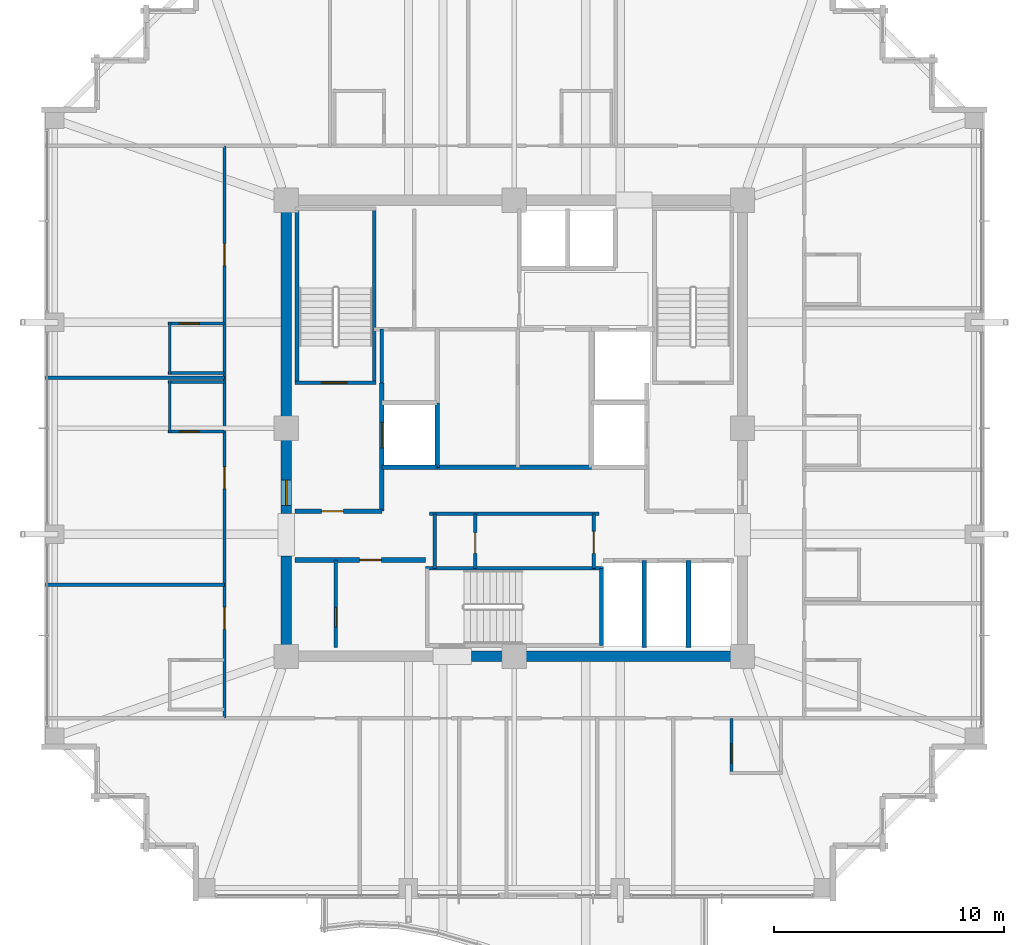
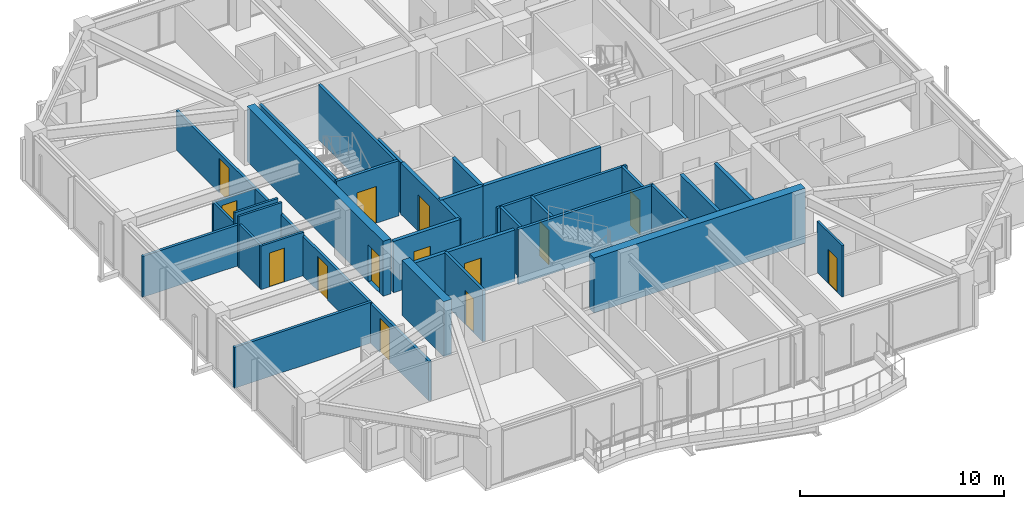
# One storey, part 32 of 38: 32 walls, 14 doors, 14 openings.
"""IFC4 building model written with IfcOpenShell, lengths in metres."""

from ifc_helpers import new_model, si_unit, direction, frame, frame_2d, origin, place, context, subcontext, project, spatial, rectangle, extrude, material, layer, layer_set, type_object, element, fill, save


model = new_model("IFC4")

# Units and contexts
model_context = context("Model", 3, precision=1e-05, world=origin(), true_north=direction((0.0, 1.0)))
body_context = subcontext(model_context, "Body", "Model", "MODEL_VIEW")
ifc_project = project(units=[si_unit("LENGTHUNIT", "METRE"), si_unit("AREAUNIT", "SQUARE_METRE"), si_unit("VOLUMEUNIT", "CUBIC_METRE"), si_unit("PLANEANGLEUNIT", "RADIAN"), si_unit("MASSUNIT", "GRAM", prefix="KILO")], contexts=[model_context])

# Site, building, storey
site_placement = place(None, origin())
site = spatial("IfcSite", under=ifc_project, at=site_placement, CompositionType="ELEMENT")
building_placement = place(site_placement, origin())
building = spatial("IfcBuilding", under=site, at=building_placement, Name="Kolvaren Belvedere", CompositionType="ELEMENT")
storey_placement = place(building_placement, frame((0.0, 0.0, 213.0)))
storey = spatial("IfcBuildingStorey", under=building, at=storey_placement, Name="L62", CompositionType="ELEMENT", Elevation=213.0)

# Walls
ifc_material_1 = material(Name="Concrete C50/60", Category="concrete")
ifc_layer_1 = layer(ifc_material_1, 0.449951171875)
ifc_layer_set_1 = layer_set([ifc_layer_1], Name="Concrete C50/60")
wall_type_1 = type_object("IfcWallType", Name="CW-CORE-450", PredefinedType="SHEAR", material=ifc_layer_set_1)
wall_1_placement = place(storey_placement, frame((10.125, -9.89990234375, 0.0), z_axis=(0.0, 0.0, 1.0), x_axis=(-1.0, 0.0, 0.0)))
element("IfcWall", 1, at=wall_1_placement, inside=storey, type_object=wall_type_1, Name="L62 South Core Shear Wall 1", PredefinedType="SHEAR", context=body_context, shape_type="SweptSolid", body=[
    extrude(rectangle(XDim=11.985107421875, YDim=0.449951171875, at=frame_2d((5.99267578125, 0.0))), origin(), (0.0, 0.0, 1.0), 3.300048828125),
])
wall_2_placement = place(storey_placement, frame((-9.89990234375, -9.675048828125, 0.0), z_axis=(0.0, 0.0, 1.0), x_axis=(0.0, 1.0, 0.0)))
element("IfcWall", 2, at=wall_2_placement, inside=storey, type_object=wall_type_1, Name="L62 West Core Shear Wall 1", PredefinedType="SHEAR", context=body_context, shape_type="SweptSolid", body=[
    extrude(rectangle(XDim=4.125, YDim=0.449951171875, at=frame_2d((2.0625, 0.0))), origin(), (0.0, 0.0, 1.0), 3.300048828125),
])

# Wall, opening, door
wall_3_placement = place(storey_placement, frame((-9.89990234375, -3.699951171875, 0.0), z_axis=(0.0, 0.0, 1.0), x_axis=(0.0, 1.0, 0.0)))
wall_3 = element("IfcWall", 3, at=wall_3_placement, inside=storey, type_object=wall_type_1, Name="L62 West Core Shear Wall 2", PredefinedType="SHEAR", context=body_context, shape_type="SweptSolid", body=[
    extrude(rectangle(XDim=13.375, YDim=0.449951171875, at=frame_2d((6.6875, 0.0))), origin(), (0.0, 0.0, 1.0), 3.300048828125),
])
opening_1_placement = place(wall_3_placement, frame((0.35009765625, 0.0, 0.0)))
opening_1 = element("IfcOpeningElement", 4, at=opening_1_placement, cuts=wall_3, Name="Opening D-FD90", PredefinedType="OPENING", context=body_context, shape_type="SweptSolid", body=[
    extrude(rectangle(XDim=1.10009765625, YDim=2.199951171875, at=frame_2d((0.550048828125, 1.10009765625))), frame((0.0, 0.23486328125, 0.0), z_axis=(0.0, -1.0, 0.0), x_axis=(1.0, 0.0, 0.0)), (0.0, 0.0, 1.0), 0.469970703125),
])
ifc_material_2 = material(Name="Painted hollow stainless steel", Category="steel")
door_type_1 = type_object("IfcDoorType", Name="DR-FD90-1100", OperationType="NOTDEFINED", PredefinedType="DOOR", material=ifc_material_2)
door_1_placement = place(opening_1_placement, origin())
door_1 = element("IfcDoor", 5, at=door_1_placement, inside=storey, type_object=door_type_1, Name="L62 West Firefighting Lobby Fire Door", OperationType="SINGLE_SWING_LEFT", OverallHeight=2.199951171875, OverallWidth=1.10009765625, PredefinedType="DOOR", context=body_context, shape_type="SweptSolid", body=[
    extrude(rectangle(XDim=1.10009765625, YDim=2.199951171875, at=frame_2d((0.550048828125, 1.10009765625))), frame((0.0, 0.02490234375, 0.0), z_axis=(0.0, -1.0, 0.0), x_axis=(1.0, 0.0, 0.0)), (0.0, 0.0, 1.0), 0.050048828125),
])
fill(opening_1, door_1)

ifc_material_3 = material(Name="Concrete C50/60", Category="concrete")
ifc_layer_2 = layer(ifc_material_3, 0.159912109375)
ifc_layer_set_2 = layer_set([ifc_layer_2], Name="Concrete C50/60")
wall_type_2 = type_object("IfcWallType", Name="CW-STAIR-160", PredefinedType="SHEAR", material=ifc_layer_set_2)
wall_4_placement = place(storey_placement, frame((-9.52001953125, 1.969970703125, 0.0), z_axis=(0.0, 0.0, 1.0), x_axis=(1.0, 0.0, 0.0)))
wall_4 = element("IfcWall", 6, at=wall_4_placement, inside=storey, type_object=wall_type_2, Name="L62 Stair ST-1 South Shear Wall", PredefinedType="SHEAR", context=body_context, shape_type="SweptSolid", body=[
    extrude(rectangle(XDim=3.52001953125, YDim=0.159912109375, at=frame_2d((1.760009765625, 0.0))), origin(), (0.0, 0.0, 1.0), 3.300048828125),
])
opening_2_placement = place(wall_4_placement, frame((1.14990234375, 0.0, 0.0)))
opening_2 = element("IfcOpeningElement", 7, at=opening_2_placement, cuts=wall_4, Name="Opening D-FD90", PredefinedType="OPENING", context=body_context, shape_type="SweptSolid", body=[
    extrude(rectangle(XDim=1.10009765625, YDim=2.199951171875, at=frame_2d((0.550048828125, 1.10009765625))), frame((0.0, 0.08984375, 0.0), z_axis=(0.0, -1.0, 0.0), x_axis=(1.0, 0.0, 0.0)), (0.0, 0.0, 1.0), 0.179931640625),
])
door_2_placement = place(opening_2_placement, origin())
door_2 = element("IfcDoor", 8, at=door_2_placement, inside=storey, type_object=door_type_1, Name="L62 Stair ST-1 Fire Door", OperationType="SINGLE_SWING_LEFT", OverallHeight=2.199951171875, OverallWidth=1.10009765625, PredefinedType="DOOR", context=body_context, shape_type="SweptSolid", body=[
    extrude(rectangle(XDim=1.10009765625, YDim=2.199951171875, at=frame_2d((0.550048828125, 1.10009765625))), frame((0.0, 0.02490234375, 0.0), z_axis=(0.0, -1.0, 0.0), x_axis=(1.0, 0.0, 0.0)), (0.0, 0.0, 1.0), 0.050048828125),
])
fill(opening_2, door_2)

# Walls
for number, where, z_axis, x_axis, name in (
    (9, (-9.429931640625, 1.969970703125, 0.0), (0.0, 0.0, 1.0), (0.0, 1.0, 0.0), "L62 Stair ST-1 West Shear Wall"),
    (10, (-6.080078125, 1.969970703125, 0.0), (0.0, 0.0, 1.0), (0.0, 1.0, 0.0), "L62 Stair ST-1 East Shear Wall"),
):
    element("IfcWall", number, at=place(storey_placement, frame(where, z_axis=z_axis, x_axis=x_axis)), inside=storey, type_object=wall_type_2, Name=name, PredefinedType="SHEAR", context=body_context, shape_type="SweptSolid", body=[
        extrude(rectangle(XDim=7.56005859375, YDim=0.159912109375, at=frame_2d((3.780029296875, 0.0))), origin(), (0.0, 0.0, 1.0), 3.300048828125),
    ])
wall_5_placement = place(storey_placement, frame((-3.860107421875, -6.080078125, 0.0), z_axis=(0.0, 0.0, 1.0), x_axis=(1.0, 0.0, 0.0)))
element("IfcWall", 11, at=wall_5_placement, inside=storey, type_object=wall_type_2, Name="L62 Stair ST-3 North Shear Wall", PredefinedType="SHEAR", context=body_context, shape_type="SweptSolid", body=[
    extrude(rectangle(XDim=7.72021484375, YDim=0.159912109375, at=frame_2d((3.860107421875, 0.0))), origin(), (0.0, 0.0, 1.0), 3.300048828125),
])
wall_6_placement = place(storey_placement, frame((3.780029296875, -9.429931640625, 0.0), z_axis=(0.0, 0.0, 1.0), x_axis=(0.0, 1.0, 0.0)))
element("IfcWall", 12, at=wall_6_placement, inside=storey, type_object=wall_type_2, Name="L62 Stair ST-3 East Shear Wall", PredefinedType="SHEAR", context=body_context, shape_type="SweptSolid", body=[
    extrude(rectangle(XDim=3.349853515625, YDim=0.159912109375, at=frame_2d((1.6748046875, 0.0))), origin(), (0.0, 0.0, 1.0), 3.300048828125),
])

# Wall, openings, doors
ifc_material_4 = material(Name="Gypsum fire-rated partition assembly", Category="gypsum")
ifc_layer_3 = layer(ifc_material_4, 0.14990234375)
ifc_layer_set_3 = layer_set([ifc_layer_3], Name="Gypsum fire-rated partition assembly")
wall_type_3 = type_object("IfcWallType", Name="WL-CORR-150", PredefinedType="PARTITIONING", material=ifc_layer_set_3)
wall_7_placement = place(storey_placement, frame((-12.580078125, -12.580078125, 0.0), z_axis=(0.0, 0.0, 1.0), x_axis=(0.0, 1.0, 0.0)))
wall_7 = element("IfcWall", 13, at=wall_7_placement, inside=storey, type_object=wall_type_3, Name="L62 West Corridor Wall", PredefinedType="PARTITIONING", context=body_context, shape_type="SweptSolid", body=[
    extrude(rectangle(XDim=24.840087890625, YDim=0.14990234375, at=frame_2d((12.419921875, 0.0))), origin(), (0.0, 0.0, 1.0), 2.368896484375),
])
opening_3_placement = place(wall_7_placement, frame((3.855712890625, 0.0, 0.0)))
opening_3 = element("IfcOpeningElement", 14, at=opening_3_placement, cuts=wall_7, Name="Opening D-FD60", PredefinedType="OPENING", context=body_context, shape_type="SweptSolid", body=[
    extrude(rectangle(XDim=0.949951171875, YDim=2.06005859375, at=frame_2d((0.47509765625, 1.030029296875))), frame((0.0, 0.0849609375, 0.0), z_axis=(0.0, -1.0, 0.0), x_axis=(1.0, 0.0, 0.0)), (0.0, 0.0, 1.0), 0.169921875),
])
opening_4_placement = place(wall_7_placement, frame((9.95751953125, 0.0, 0.0)))
opening_4 = element("IfcOpeningElement", 15, at=opening_4_placement, cuts=wall_7, Name="Opening D-FD60", PredefinedType="OPENING", context=body_context, shape_type="SweptSolid", body=[
    extrude(rectangle(XDim=0.949951171875, YDim=2.06005859375, at=frame_2d((0.47509765625, 1.030029296875))), frame((0.0, 0.0849609375, 0.0), z_axis=(0.0, -1.0, 0.0), x_axis=(1.0, 0.0, 0.0)), (0.0, 0.0, 1.0), 0.169921875),
])
opening_5_placement = place(wall_7_placement, frame((19.639892578125, 0.0, 0.0)))
opening_5 = element("IfcOpeningElement", 16, at=opening_5_placement, cuts=wall_7, Name="Opening D-FD60", PredefinedType="OPENING", context=body_context, shape_type="SweptSolid", body=[
    extrude(rectangle(XDim=0.949951171875, YDim=2.06005859375, at=frame_2d((0.47509765625, 1.030029296875))), frame((0.0, 0.0849609375, 0.0), z_axis=(0.0, -1.0, 0.0), x_axis=(1.0, 0.0, 0.0)), (0.0, 0.0, 1.0), 0.169921875),
])
ifc_material_5 = material(Name="Acoustic white-oak fire door leaf", Category="timber")
door_type_2 = type_object("IfcDoorType", Name="DR-FD60-950", OperationType="NOTDEFINED", PredefinedType="DOOR", material=ifc_material_5)
door_3_placement = place(opening_3_placement, origin())
door_3 = element("IfcDoor", 17, at=door_3_placement, inside=storey, type_object=door_type_2, Name="L62 Twin Guest Room 6209 Entry Door", OperationType="SINGLE_SWING_LEFT", OverallHeight=2.06005859375, OverallWidth=0.949951171875, PredefinedType="DOOR", context=body_context, shape_type="SweptSolid", body=[
    extrude(rectangle(XDim=0.949951171875, YDim=2.06005859375, at=frame_2d((0.47509765625, 1.030029296875))), frame((0.0, 0.02490234375, 0.0), z_axis=(0.0, -1.0, 0.0), x_axis=(1.0, 0.0, 0.0)), (0.0, 0.0, 1.0), 0.050048828125),
])
fill(opening_3, door_3)
door_4_placement = place(opening_4_placement, origin())
door_4 = element("IfcDoor", 18, at=door_4_placement, inside=storey, type_object=door_type_2, Name="L62 Deluxe King Guest Room 6210 Entry Door", OperationType="SINGLE_SWING_LEFT", OverallHeight=2.06005859375, OverallWidth=0.949951171875, PredefinedType="DOOR", context=body_context, shape_type="SweptSolid", body=[
    extrude(rectangle(XDim=0.949951171875, YDim=2.06005859375, at=frame_2d((0.47509765625, 1.030029296875))), frame((0.0, 0.02490234375, 0.0), z_axis=(0.0, -1.0, 0.0), x_axis=(1.0, 0.0, 0.0)), (0.0, 0.0, 1.0), 0.050048828125),
])
fill(opening_4, door_4)
door_5_placement = place(opening_5_placement, origin())
door_5 = element("IfcDoor", 19, at=door_5_placement, inside=storey, type_object=door_type_2, Name="L62 Twin Guest Room 6211 Entry Door", OperationType="SINGLE_SWING_LEFT", OverallHeight=2.06005859375, OverallWidth=0.949951171875, PredefinedType="DOOR", context=body_context, shape_type="SweptSolid", body=[
    extrude(rectangle(XDim=0.949951171875, YDim=2.06005859375, at=frame_2d((0.47509765625, 1.030029296875))), frame((0.0, 0.02490234375, 0.0), z_axis=(0.0, -1.0, 0.0), x_axis=(1.0, 0.0, 0.0)), (0.0, 0.0, 1.0), 0.050048828125),
])
fill(opening_5, door_5)

# Wall, opening, door
ifc_material_6 = material(Name="Gypsum acoustic partition assembly", Category="gypsum")
ifc_layer_4 = layer(ifc_material_6, 0.14990234375)
ifc_layer_set_4 = layer_set([ifc_layer_4], Name="Gypsum acoustic partition assembly")
wall_type_4 = type_object("IfcWallType", Name="WL-PART-150", PredefinedType="PARTITIONING", material=ifc_layer_set_4)
wall_8_placement = place(storey_placement, frame((-7.75, -9.52001953125, 0.0), z_axis=(0.0, 0.0, 1.0), x_axis=(0.0, 1.0, 0.0)))
wall_8 = element("IfcWall", 20, at=wall_8_placement, inside=storey, type_object=wall_type_4, Name="L62 Reclaimed Mid Store Divider", PredefinedType="PARTITIONING", context=body_context, shape_type="SweptSolid", body=[
    extrude(rectangle(XDim=3.800048828125, YDim=0.14990234375, at=frame_2d((1.89990234375, 0.0))), origin(), (0.0, 0.0, 1.0), 3.080078125),
])
opening_6_placement = place(wall_8_placement, frame((0.89990234375, 0.0, 0.0)))
opening_6 = element("IfcOpeningElement", 21, at=opening_6_placement, cuts=wall_8, Name="Opening D-INT85", PredefinedType="OPENING", context=body_context, shape_type="SweptSolid", body=[
    extrude(rectangle(XDim=0.85009765625, YDim=2.030029296875, at=frame_2d((0.425048828125, 1.01513671875))), frame((0.0, 0.0849609375, 0.0), z_axis=(0.0, -1.0, 0.0), x_axis=(1.0, 0.0, 0.0)), (0.0, 0.0, 1.0), 0.169921875),
])
ifc_material_7 = material(Name="Stained Pacific white oak", Category="timber")
door_type_3 = type_object("IfcDoorType", Name="DR-INT-850", OperationType="NOTDEFINED", PredefinedType="DOOR", material=ifc_material_7)
door_6_placement = place(opening_6_placement, origin())
door_6 = element("IfcDoor", 22, at=door_6_placement, inside=storey, type_object=door_type_3, Name="L62 Janitor Store Door", OperationType="SINGLE_SWING_RIGHT", OverallHeight=2.030029296875, OverallWidth=0.85009765625, PredefinedType="DOOR", context=body_context, shape_type="SweptSolid", body=[
    extrude(rectangle(XDim=0.85009765625, YDim=2.030029296875, at=frame_2d((0.425048828125, 1.01513671875))), frame((0.0, 0.02490234375, 0.0), z_axis=(0.0, -1.0, 0.0), x_axis=(1.0, 0.0, 0.0)), (0.0, 0.0, 1.0), 0.050048828125),
])
fill(opening_6, door_6)

# Wall
wall_9_placement = place(storey_placement, frame((-3.679931640625, -3.719970703125, 0.0), z_axis=(0.0, 0.0, 1.0), x_axis=(1.0, 0.0, 0.0)))
element("IfcWall", 23, at=wall_9_placement, inside=storey, type_object=wall_type_4, Name="L62 South Core Service North Wall", PredefinedType="PARTITIONING", context=body_context, shape_type="SweptSolid", body=[
    extrude(rectangle(XDim=7.35986328125, YDim=0.14990234375, at=frame_2d((3.679931640625, 0.0))), origin(), (0.0, 0.0, 1.0), 3.080078125),
])

# Wall, opening, door
wall_10_placement = place(storey_placement, frame((3.449951171875, -6.080078125, 0.0), z_axis=(0.0, 0.0, 1.0), x_axis=(0.0, 1.0, 0.0)))
wall_10 = element("IfcWall", 24, at=wall_10_placement, inside=storey, type_object=wall_type_4, Name="L62 South Core Service East Wall", PredefinedType="PARTITIONING", context=body_context, shape_type="SweptSolid", body=[
    extrude(rectangle(XDim=2.360107421875, YDim=0.14990234375, at=frame_2d((1.18017578125, 0.0))), origin(), (0.0, 0.0, 1.0), 3.080078125),
])
opening_7_placement = place(wall_10_placement, frame((0.64990234375, 0.0, 0.0)))
opening_7 = element("IfcOpeningElement", 25, at=opening_7_placement, cuts=wall_10, Name="Opening D-FD60", PredefinedType="OPENING", context=body_context, shape_type="SweptSolid", body=[
    extrude(rectangle(XDim=0.949951171875, YDim=2.06005859375, at=frame_2d((0.47509765625, 1.030029296875))), frame((0.0, 0.0849609375, 0.0), z_axis=(0.0, -1.0, 0.0), x_axis=(1.0, 0.0, 0.0)), (0.0, 0.0, 1.0), 0.169921875),
])
door_7_placement = place(opening_7_placement, origin())
door_7 = element("IfcDoor", 26, at=door_7_placement, inside=storey, type_object=door_type_2, Name="L62 Core Service Room Door", OperationType="SINGLE_SWING_LEFT", OverallHeight=2.06005859375, OverallWidth=0.949951171875, PredefinedType="DOOR", context=body_context, shape_type="SweptSolid", body=[
    extrude(rectangle(XDim=0.949951171875, YDim=2.06005859375, at=frame_2d((0.47509765625, 1.030029296875))), frame((0.0, 0.02490234375, 0.0), z_axis=(0.0, -1.0, 0.0), x_axis=(1.0, 0.0, 0.0)), (0.0, 0.0, 1.0), 0.050048828125),
])
fill(opening_7, door_7)

# Wall
wall_11_placement = place(storey_placement, frame((-3.449951171875, -6.080078125, 0.0), z_axis=(0.0, 0.0, 1.0), x_axis=(0.0, 1.0, 0.0)))
element("IfcWall", 27, at=wall_11_placement, inside=storey, type_object=wall_type_4, Name="L62 South Core Service West Wall", PredefinedType="PARTITIONING", context=body_context, shape_type="SweptSolid", body=[
    extrude(rectangle(XDim=2.360107421875, YDim=0.14990234375, at=frame_2d((1.18017578125, 0.0))), origin(), (0.0, 0.0, 1.0), 3.080078125),
])

# Wall, opening, door
wall_12_placement = place(storey_placement, frame((-1.699951171875, -6.080078125, 0.0), z_axis=(0.0, 0.0, 1.0), x_axis=(0.0, 1.0, 0.0)))
wall_12 = element("IfcWall", 28, at=wall_12_placement, inside=storey, type_object=wall_type_4, Name="L62 Core Service Divider", PredefinedType="PARTITIONING", context=body_context, shape_type="SweptSolid", body=[
    extrude(rectangle(XDim=2.360107421875, YDim=0.14990234375, at=frame_2d((1.18017578125, 0.0))), origin(), (0.0, 0.0, 1.0), 3.080078125),
])
opening_8_placement = place(wall_12_placement, frame((0.64990234375, 0.0, 0.0)))
opening_8 = element("IfcOpeningElement", 29, at=opening_8_placement, cuts=wall_12, Name="Opening D-INT90", PredefinedType="OPENING", context=body_context, shape_type="SweptSolid", body=[
    extrude(rectangle(XDim=0.89990234375, YDim=2.06005859375, at=frame_2d((0.449951171875, 1.030029296875))), frame((0.0, 0.0849609375, 0.0), z_axis=(0.0, -1.0, 0.0), x_axis=(1.0, 0.0, 0.0)), (0.0, 0.0, 1.0), 0.169921875),
])
ifc_material_8 = material(Name="Stained Pacific white oak", Category="timber")
door_type_4 = type_object("IfcDoorType", Name="DR-INT-900", OperationType="NOTDEFINED", PredefinedType="DOOR", material=ifc_material_8)
door_8_placement = place(opening_8_placement, origin())
door_8 = element("IfcDoor", 30, at=door_8_placement, inside=storey, type_object=door_type_4, Name="L62 Telecom Inner Door", OperationType="SINGLE_SWING_RIGHT", OverallHeight=2.06005859375, OverallWidth=0.89990234375, PredefinedType="DOOR", context=body_context, shape_type="SweptSolid", body=[
    extrude(rectangle(XDim=0.89990234375, YDim=2.06005859375, at=frame_2d((0.449951171875, 1.030029296875))), frame((0.0, 0.02490234375, 0.0), z_axis=(0.0, -1.0, 0.0), x_axis=(1.0, 0.0, 0.0)), (0.0, 0.0, 1.0), 0.050048828125),
])
fill(opening_8, door_8)

# Walls
wall_13_placement = place(storey_placement, frame((-5.75, 1.969970703125, 0.0), z_axis=(0.0, 0.0, 1.0), x_axis=(0.0, 1.0, 0.0)))
element("IfcWall", 31, at=wall_13_placement, inside=storey, type_object=wall_type_4, Name="L62 NW Service Room West Wall", PredefinedType="PARTITIONING", context=body_context, shape_type="SweptSolid", body=[
    extrude(rectangle(XDim=2.330078125, YDim=0.14990234375, at=frame_2d((1.1650390625, 0.0))), origin(), (0.0, 0.0, 1.0), 3.080078125),
])
for number, where, z_axis, x_axis, name in (
    (32, (-20.3798828125, -6.800048828125, 0.0), (0.0, 0.0, 1.0), (1.0, 0.0, 0.0), "L62 West Suite Demising Wall 1"),
    (33, (-20.3798828125, 2.199951171875, 0.0), (0.0, 0.0, 1.0), (1.0, 0.0, 0.0), "L62 West Suite Demising Wall 2"),
):
    element("IfcWall", number, at=place(storey_placement, frame(where, z_axis=z_axis, x_axis=x_axis)), inside=storey, type_object=wall_type_4, Name=name, PredefinedType="PARTITIONING", context=body_context, shape_type="SweptSolid", body=[
        extrude(rectangle(XDim=7.7998046875, YDim=0.14990234375, at=frame_2d((3.89990234375, 0.0))), origin(), (0.0, 0.0, 1.0), 2.452880859375),
    ])

# Wall, opening, door
ifc_material_9 = material(Name="Concrete C50/60", Category="concrete")
ifc_layer_5 = layer(ifc_material_9, 0.199951171875)
ifc_layer_set_5 = layer_set([ifc_layer_5], Name="Concrete C50/60")
wall_type_5 = type_object("IfcWallType", Name="WL-SHAFT-200", PredefinedType="SOLIDWALL", material=ifc_layer_set_5)
wall_14_placement = place(storey_placement, frame((-9.52001953125, -3.60009765625, 0.0), z_axis=(0.0, 0.0, 1.0), x_axis=(1.0, 0.0, 0.0)))
wall_14 = element("IfcWall", 34, at=wall_14_placement, inside=storey, type_object=wall_type_5, Name="L62 West FSAE Lobby South Wall", PredefinedType="SOLIDWALL", context=body_context, shape_type="SweptSolid", body=[
    extrude(rectangle(XDim=3.77001953125, YDim=0.199951171875, at=frame_2d((1.885009765625, 0.0))), origin(), (0.0, 0.0, 1.0), 3.080078125),
])
opening_9_placement = place(wall_14_placement, frame((1.14990234375, 0.0, 0.0)))
opening_9 = element("IfcOpeningElement", 35, at=opening_9_placement, cuts=wall_14, Name="Opening D-FD60", PredefinedType="OPENING", context=body_context, shape_type="SweptSolid", body=[
    extrude(rectangle(XDim=0.949951171875, YDim=2.06005859375, at=frame_2d((0.47509765625, 1.030029296875))), frame((0.0, 0.10986328125, 0.0), z_axis=(0.0, -1.0, 0.0), x_axis=(1.0, 0.0, 0.0)), (0.0, 0.0, 1.0), 0.219970703125),
])
door_9_placement = place(opening_9_placement, origin())
door_9 = element("IfcDoor", 36, at=door_9_placement, inside=storey, type_object=door_type_2, Name="L62 SW Lobby Fire Door", OperationType="SINGLE_SWING_LEFT", OverallHeight=2.06005859375, OverallWidth=0.949951171875, PredefinedType="DOOR", context=body_context, shape_type="SweptSolid", body=[
    extrude(rectangle(XDim=0.949951171875, YDim=2.06005859375, at=frame_2d((0.47509765625, 1.030029296875))), frame((0.0, 0.02490234375, 0.0), z_axis=(0.0, -1.0, 0.0), x_axis=(1.0, 0.0, 0.0)), (0.0, 0.0, 1.0), 0.050048828125),
])
fill(opening_9, door_9)

wall_15_placement = place(storey_placement, frame((-5.75, -3.60009765625, 0.0), z_axis=(0.0, 0.0, 1.0), x_axis=(0.0, 1.0, 0.0)))
wall_15 = element("IfcWall", 37, at=wall_15_placement, inside=storey, type_object=wall_type_5, Name="L62 FSAE FS1 Landing Wall", PredefinedType="SOLIDWALL", context=body_context, shape_type="SweptSolid", body=[
    extrude(rectangle(XDim=5.570068359375, YDim=0.199951171875, at=frame_2d((2.78515625, 0.0))), origin(), (0.0, 0.0, 1.0), 3.080078125),
])
opening_10_placement = place(wall_15_placement, frame((2.75, 0.0, 0.0)))
opening_10 = element("IfcOpeningElement", 38, at=opening_10_placement, cuts=wall_15, Name="Opening LD-11", PredefinedType="OPENING", context=body_context, shape_type="SweptSolid", body=[
    extrude(rectangle(XDim=1.10009765625, YDim=2.199951171875, at=frame_2d((0.550048828125, 1.10009765625))), frame((0.0, 0.10986328125, 0.0), z_axis=(0.0, -1.0, 0.0), x_axis=(1.0, 0.0, 0.0)), (0.0, 0.0, 1.0), 0.219970703125),
])
ifc_material_10 = material(Name="Brushed stainless steel", Category="steel")
door_type_5 = type_object("IfcDoorType", Name="DR-LIFT-1100", OperationType="DOUBLE_DOOR_SLIDING", PredefinedType="DOOR", material=ifc_material_10)
door_10_placement = place(opening_10_placement, origin())
door_10 = element("IfcDoor", 39, at=door_10_placement, inside=storey, type_object=door_type_5, Name="L62 Firefighting Lift FS1 Landing Door", OperationType="DOUBLE_DOOR_SLIDING", OverallHeight=2.199951171875, OverallWidth=1.10009765625, PredefinedType="DOOR", context=body_context, shape_type="SweptSolid", body=[
    extrude(rectangle(XDim=1.10009765625, YDim=2.199951171875, at=frame_2d((0.550048828125, 1.10009765625))), frame((0.0, 0.02490234375, 0.0), z_axis=(0.0, -1.0, 0.0), x_axis=(1.0, 0.0, 0.0)), (0.0, 0.0, 1.0), 0.050048828125),
])
fill(opening_10, door_10)

# Walls
wall_16_placement = place(storey_placement, frame((-3.35009765625, -1.699951171875, 0.0), z_axis=(0.0, 0.0, 1.0), x_axis=(0.0, 1.0, 0.0)))
element("IfcWall", 40, at=wall_16_placement, inside=storey, type_object=wall_type_5, Name="L62 FSAE FS1 Back Wall", PredefinedType="SOLIDWALL", context=body_context, shape_type="SweptSolid", body=[
    extrude(rectangle(XDim=2.800048828125, YDim=0.199951171875, at=frame_2d((1.39990234375, 0.0))), origin(), (0.0, 0.0, 1.0), 3.080078125),
])
wall_17_placement = place(storey_placement, frame((-5.75, -1.699951171875, 0.0), z_axis=(0.0, 0.0, 1.0), x_axis=(1.0, 0.0, 0.0)))
element("IfcWall", 41, at=wall_17_placement, inside=storey, type_object=wall_type_5, Name="L62 FSAE FS1 South Wall", PredefinedType="SOLIDWALL", context=body_context, shape_type="SweptSolid", body=[
    extrude(rectangle(XDim=2.39990234375, YDim=0.199951171875, at=frame_2d((1.199951171875, 0.0))), origin(), (0.0, 0.0, 1.0), 3.080078125),
])

# Wall, opening, door
wall_18_placement = place(storey_placement, frame((-9.52001953125, -5.719970703125, 0.0), z_axis=(0.0, 0.0, 1.0), x_axis=(1.0, 0.0, 0.0)))
wall_18 = element("IfcWall", 42, at=wall_18_placement, inside=storey, type_object=wall_type_5, Name="L62 Reclaimed Mid Room North Wall", PredefinedType="SOLIDWALL", context=body_context, shape_type="SweptSolid", body=[
    extrude(rectangle(XDim=5.659912109375, YDim=0.199951171875, at=frame_2d((2.830078125, 0.0))), origin(), (0.0, 0.0, 1.0), 3.080078125),
])
opening_11_placement = place(wall_18_placement, frame((2.800048828125, 0.0, 0.0)))
opening_11 = element("IfcOpeningElement", 43, at=opening_11_placement, cuts=wall_18, Name="Opening D-FD60", PredefinedType="OPENING", context=body_context, shape_type="SweptSolid", body=[
    extrude(rectangle(XDim=0.949951171875, YDim=2.06005859375, at=frame_2d((0.47509765625, 1.030029296875))), frame((0.0, 0.10986328125, 0.0), z_axis=(0.0, -1.0, 0.0), x_axis=(1.0, 0.0, 0.0)), (0.0, 0.0, 1.0), 0.219970703125),
])
door_11_placement = place(opening_11_placement, origin())
door_11 = element("IfcDoor", 44, at=door_11_placement, inside=storey, type_object=door_type_2, Name="L62 Reading Lounge Door", OperationType="SINGLE_SWING_LEFT", OverallHeight=2.06005859375, OverallWidth=0.949951171875, PredefinedType="DOOR", context=body_context, shape_type="SweptSolid", body=[
    extrude(rectangle(XDim=0.949951171875, YDim=2.06005859375, at=frame_2d((0.47509765625, 1.030029296875))), frame((0.0, 0.02490234375, 0.0), z_axis=(0.0, -1.0, 0.0), x_axis=(1.0, 0.0, 0.0)), (0.0, 0.0, 1.0), 0.050048828125),
])
fill(opening_11, door_11)

# Walls
for number, where, z_axis, x_axis, name in (
    (45, (5.6298828125, -9.52001953125, 0.0), (0.0, 0.0, 1.0), (0.0, 1.0, 0.0), "L62 High-Rise Hoistway Divider 1"),
    (46, (7.56005859375, -9.52001953125, 0.0), (0.0, 0.0, 1.0), (0.0, 1.0, 0.0), "L62 High-Rise Hoistway Divider 2"),
):
    element("IfcWall", number, at=place(storey_placement, frame(where, z_axis=z_axis, x_axis=x_axis)), inside=storey, type_object=wall_type_5, Name=name, PredefinedType="SOLIDWALL", context=body_context, shape_type="SweptSolid", body=[
        extrude(rectangle(XDim=3.77001953125, YDim=0.199951171875, at=frame_2d((1.885009765625, 0.0))), origin(), (0.0, 0.0, 1.0), 3.080078125),
    ])
wall_19_placement = place(storey_placement, frame((-3.35009765625, -1.699951171875, 0.0), z_axis=(0.0, 0.0, 1.0), x_axis=(1.0, 0.0, 0.0)))
element("IfcWall", 47, at=wall_19_placement, inside=storey, type_object=wall_type_5, Name="L62 Central Core Room South Wall", PredefinedType="SOLIDWALL", context=body_context, shape_type="SweptSolid", body=[
    extrude(rectangle(XDim=6.7001953125, YDim=0.199951171875, at=frame_2d((3.35009765625, 0.0))), origin(), (0.0, 0.0, 1.0), 3.080078125),
])

# Wall, opening, door
ifc_material_11 = material(Name="Moisture-resistant gypsum partition", Category="gypsum")
ifc_layer_6 = layer(ifc_material_11, 0.125)
ifc_layer_set_6 = layer_set([ifc_layer_6], Name="Moisture-resistant gypsum partition")
wall_type_6 = type_object("IfcWallType", Name="WL-WET-125", PredefinedType="PARTITIONING", material=ifc_layer_set_6)
wall_20_placement = place(storey_placement, frame((9.428955078125, -15.034912109375, 0.0), z_axis=(0.0, 0.0, 1.0), x_axis=(0.0, 1.0, 0.0)))
wall_20 = element("IfcWall", 48, at=wall_20_placement, inside=storey, type_object=wall_type_6, Name="L62 Bathroom Partition PW-L62-BTH-4-E", PredefinedType="PARTITIONING", context=body_context, shape_type="SweptSolid", body=[
    extrude(rectangle(XDim=2.43994140625, YDim=0.125, at=frame_2d((1.219970703125, 0.0))), origin(), (0.0, 0.0, 1.0), 3.080078125),
])
opening_12_placement = place(wall_20_placement, frame((0.5, 0.0, 0.0)))
opening_12 = element("IfcOpeningElement", 49, at=opening_12_placement, cuts=wall_20, Name="Opening D-BTH85", PredefinedType="OPENING", context=body_context, shape_type="SweptSolid", body=[
    extrude(rectangle(XDim=0.85009765625, YDim=2.030029296875, at=frame_2d((0.425048828125, 1.01513671875))), frame((0.0, 0.072509765625, 0.0), z_axis=(0.0, -1.0, 0.0), x_axis=(1.0, 0.0, 0.0)), (0.0, 0.0, 1.0), 0.14501953125),
])
ifc_material_12 = material(Name="Moisture-sealed Pacific white oak", Category="timber")
door_type_6 = type_object("IfcDoorType", Name="DR-BATH-850", OperationType="NOTDEFINED", PredefinedType="DOOR", material=ifc_material_12)
door_12_placement = place(opening_12_placement, origin())
door_12 = element("IfcDoor", 50, at=door_12_placement, inside=storey, type_object=door_type_6, Name="L62 En-Suite Bathroom 6204 Door", OperationType="SINGLE_SWING_RIGHT", OverallHeight=2.030029296875, OverallWidth=0.85009765625, PredefinedType="DOOR", context=body_context, shape_type="SweptSolid", body=[
    extrude(rectangle(XDim=0.85009765625, YDim=2.030029296875, at=frame_2d((0.425048828125, 1.01513671875))), frame((0.0, 0.02490234375, 0.0), z_axis=(0.0, -1.0, 0.0), x_axis=(1.0, 0.0, 0.0)), (0.0, 0.0, 1.0), 0.050048828125),
])
fill(opening_12, door_12)

wall_21_placement = place(storey_placement, frame((-15.034912109375, -0.14501953125, 0.0), z_axis=(0.0, 0.0, 1.0), x_axis=(1.0, 0.0, 0.0)))
wall_21 = element("IfcWall", 51, at=wall_21_placement, inside=storey, type_object=wall_type_6, Name="L62 Bathroom Partition PW-L62-BTH-10-N", PredefinedType="PARTITIONING", context=body_context, shape_type="SweptSolid", body=[
    extrude(rectangle(XDim=2.43994140625, YDim=0.125, at=frame_2d((1.219970703125, 0.0))), origin(), (0.0, 0.0, 1.0), 2.60498046875),
])
opening_13_placement = place(wall_21_placement, frame((0.5, 0.0, 0.0)))
opening_13 = element("IfcOpeningElement", 52, at=opening_13_placement, cuts=wall_21, Name="Opening D-BTH85", PredefinedType="OPENING", context=body_context, shape_type="SweptSolid", body=[
    extrude(rectangle(XDim=0.85009765625, YDim=2.030029296875, at=frame_2d((0.425048828125, 1.01513671875))), frame((0.0, 0.072509765625, 0.0), z_axis=(0.0, -1.0, 0.0), x_axis=(1.0, 0.0, 0.0)), (0.0, 0.0, 1.0), 0.14501953125),
])
door_13_placement = place(opening_13_placement, origin())
door_13 = element("IfcDoor", 53, at=door_13_placement, inside=storey, type_object=door_type_6, Name="L62 En-Suite Bathroom 6210 Door", OperationType="SINGLE_SWING_RIGHT", OverallHeight=2.030029296875, OverallWidth=0.85009765625, PredefinedType="DOOR", context=body_context, shape_type="SweptSolid", body=[
    extrude(rectangle(XDim=0.85009765625, YDim=2.030029296875, at=frame_2d((0.425048828125, 1.01513671875))), frame((0.0, 0.02490234375, 0.0), z_axis=(0.0, -1.0, 0.0), x_axis=(1.0, 0.0, 0.0)), (0.0, 0.0, 1.0), 0.050048828125),
])
fill(opening_13, door_13)

# Walls
wall_22_placement = place(storey_placement, frame((-14.955078125, -0.205078125, 0.0), z_axis=(0.0, 0.0, 1.0), x_axis=(0.0, 1.0, 0.0)))
element("IfcWall", 54, at=wall_22_placement, inside=storey, type_object=wall_type_6, Name="L62 Bathroom Partition PW-L62-BTH-10-V", PredefinedType="PARTITIONING", context=body_context, shape_type="SweptSolid", body=[
    extrude(rectangle(XDim=2.27001953125, YDim=0.125, at=frame_2d((1.135009765625, 0.0))), origin(), (0.0, 0.0, 1.0), 2.60498046875),
])
wall_23_placement = place(storey_placement, frame((-15.034912109375, 2.0048828125, 0.0), z_axis=(0.0, 0.0, 1.0), x_axis=(1.0, 0.0, 0.0)))
element("IfcWall", 55, at=wall_23_placement, inside=storey, type_object=wall_type_6, Name="L62 Bathroom Partition PW-L62-BTH-10-S", PredefinedType="PARTITIONING", context=body_context, shape_type="SweptSolid", body=[
    extrude(rectangle(XDim=2.43994140625, YDim=0.125, at=frame_2d((1.219970703125, 0.0))), origin(), (0.0, 0.0, 1.0), 3.080078125),
])

# Wall, opening, door
wall_24_placement = place(storey_placement, frame((-15.034912109375, 4.544921875, 0.0), z_axis=(0.0, 0.0, 1.0), x_axis=(1.0, 0.0, 0.0)))
wall_24 = element("IfcWall", 56, at=wall_24_placement, inside=storey, type_object=wall_type_6, Name="L62 Bathroom Partition PW-L62-BTH-11-N", PredefinedType="PARTITIONING", context=body_context, shape_type="SweptSolid", body=[
    extrude(rectangle(XDim=2.43994140625, YDim=0.125, at=frame_2d((1.219970703125, 0.0))), origin(), (0.0, 0.0, 1.0), 2.368896484375),
])
opening_14_placement = place(wall_24_placement, frame((0.5, 0.0, 0.0)))
opening_14 = element("IfcOpeningElement", 57, at=opening_14_placement, cuts=wall_24, Name="Opening D-BTH85", PredefinedType="OPENING", context=body_context, shape_type="SweptSolid", body=[
    extrude(rectangle(XDim=0.85009765625, YDim=2.030029296875, at=frame_2d((0.425048828125, 1.01513671875))), frame((0.0, 0.072509765625, 0.0), z_axis=(0.0, -1.0, 0.0), x_axis=(1.0, 0.0, 0.0)), (0.0, 0.0, 1.0), 0.14501953125),
])
door_14_placement = place(opening_14_placement, origin())
door_14 = element("IfcDoor", 58, at=door_14_placement, inside=storey, type_object=door_type_6, Name="L62 En-Suite Bathroom 6211 Door", OperationType="SINGLE_SWING_RIGHT", OverallHeight=2.030029296875, OverallWidth=0.85009765625, PredefinedType="DOOR", context=body_context, shape_type="SweptSolid", body=[
    extrude(rectangle(XDim=0.85009765625, YDim=2.030029296875, at=frame_2d((0.425048828125, 1.01513671875))), frame((0.0, 0.02490234375, 0.0), z_axis=(0.0, -1.0, 0.0), x_axis=(1.0, 0.0, 0.0)), (0.0, 0.0, 1.0), 0.050048828125),
])
fill(opening_14, door_14)

# Walls
wall_25_placement = place(storey_placement, frame((-14.955078125, 2.3349609375, 0.0), z_axis=(0.0, 0.0, 1.0), x_axis=(0.0, 1.0, 0.0)))
element("IfcWall", 59, at=wall_25_placement, inside=storey, type_object=wall_type_6, Name="L62 Bathroom Partition PW-L62-BTH-11-V", PredefinedType="PARTITIONING", context=body_context, shape_type="SweptSolid", body=[
    extrude(rectangle(XDim=2.27001953125, YDim=0.125, at=frame_2d((1.135009765625, 0.0))), origin(), (0.0, 0.0, 1.0), 2.368896484375),
])
wall_26_placement = place(storey_placement, frame((-15.034912109375, 2.39501953125, 0.0), z_axis=(0.0, 0.0, 1.0), x_axis=(1.0, 0.0, 0.0)))
element("IfcWall", 60, at=wall_26_placement, inside=storey, type_object=wall_type_6, Name="L62 Bathroom Partition PW-L62-BTH-11-S", PredefinedType="PARTITIONING", context=body_context, shape_type="SweptSolid", body=[
    extrude(rectangle(XDim=2.43994140625, YDim=0.125, at=frame_2d((1.219970703125, 0.0))), origin(), (0.0, 0.0, 1.0), 3.080078125),
])

save(model, "model.ifc")
